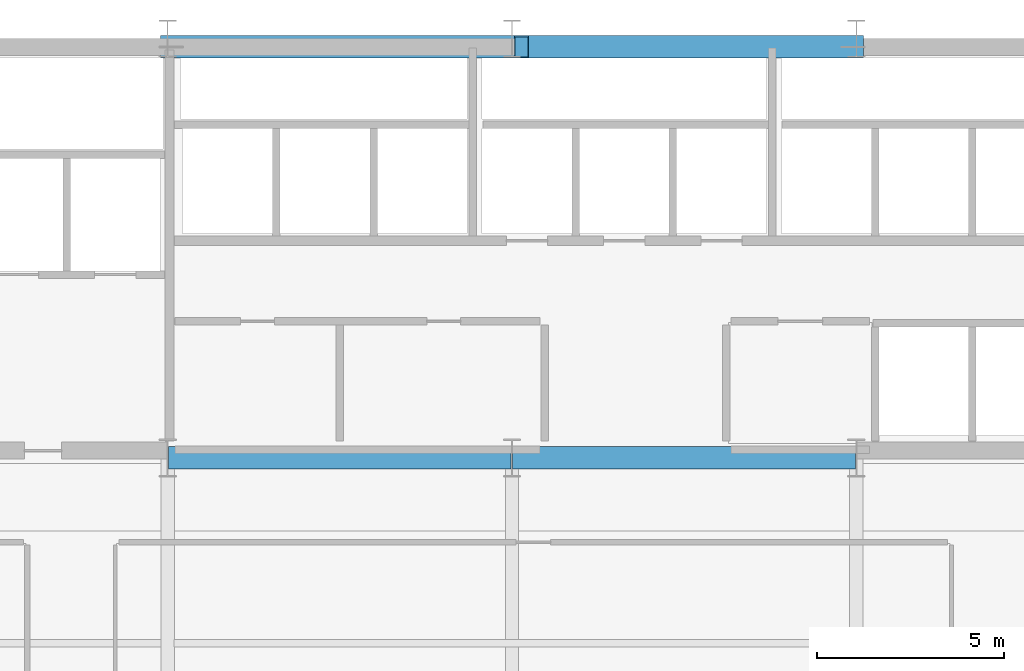
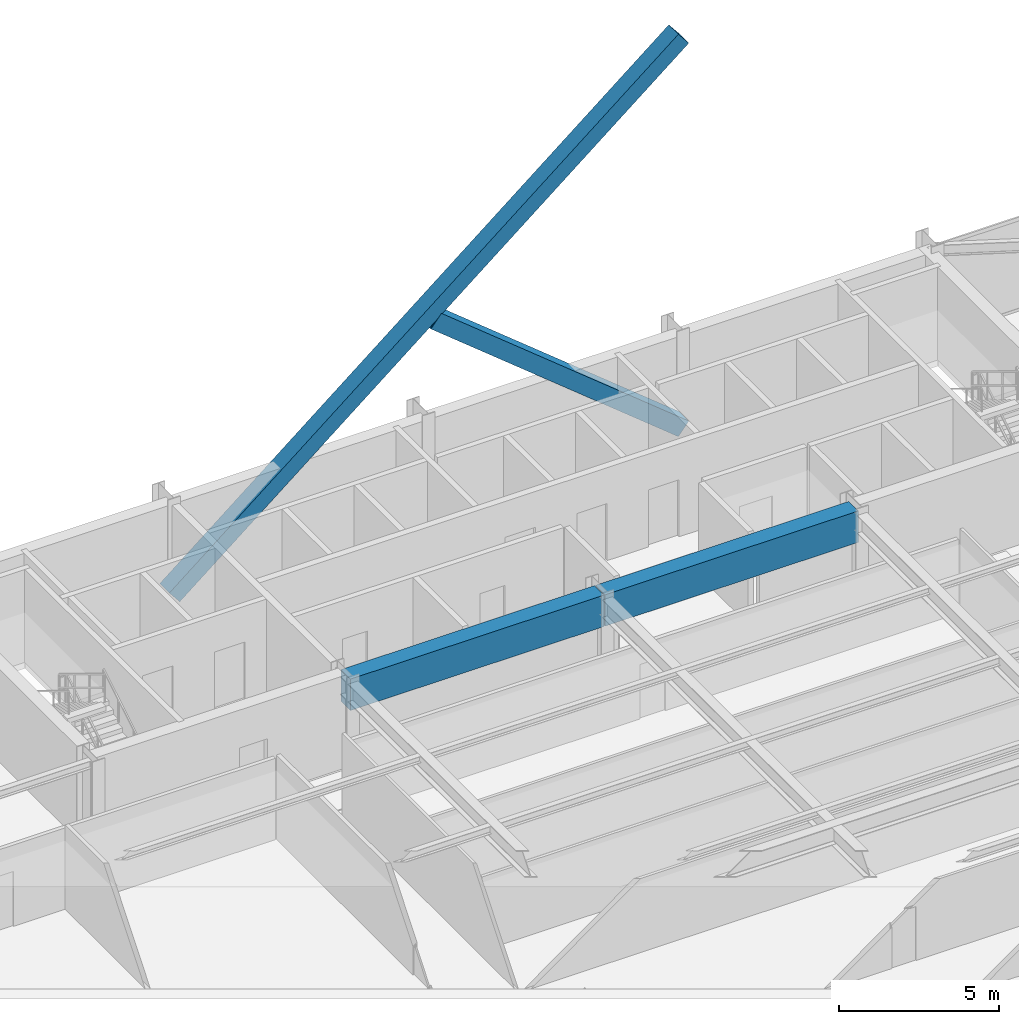
# One storey, part 24 of 37: 2 beams, 2 members.
"""IFC4 building model written with IfcOpenShell, lengths in metres."""

from ifc_helpers import new_model, si_unit, direction, frame, origin, origin_2d, place, context, subcontext, project, spatial, rectangle, hollow_rectangle, extrude, source, transform, mapped, material, material_profile, profile_set, type_object, type_shapes, element, save


model = new_model("IFC4")

# Units and contexts
model_context = context("Model", 3, precision=1e-05, world=origin(), true_north=direction((0.0, 1.0)))
body_context = subcontext(model_context, "Body", "Model", "MODEL_VIEW")
ifc_project = project(units=[si_unit("LENGTHUNIT", "METRE"), si_unit("AREAUNIT", "SQUARE_METRE"), si_unit("VOLUMEUNIT", "CUBIC_METRE"), si_unit("PLANEANGLEUNIT", "RADIAN"), si_unit("MASSUNIT", "GRAM", prefix="KILO")], contexts=[model_context])

# Site, building, storey
site_placement = place(None, origin())
site = spatial("IfcSite", under=ifc_project, at=site_placement, CompositionType="ELEMENT")
building_placement = place(site_placement, origin())
building = spatial("IfcBuilding", under=site, at=building_placement, Name="Varnel Quay Broadcast Tower", CompositionType="ELEMENT")
storey_placement = place(building_placement, frame((0.0, 0.0, 103.0)))
storey = spatial("IfcBuildingStorey", under=building, at=storey_placement, Name="L24", CompositionType="ELEMENT", Elevation=103.0)

# Beams
ifc_material_1 = material(Name="Concrete CSA A23.3 C60/75", Category="concrete")
ifc_material_profile_1 = material_profile(ifc_material_1, rectangle(XDim=0.60009765625, YDim=1.199951171875, at=origin_2d()), Name="RC600X1200")
ifc_profile_set_1 = profile_set([ifc_material_profile_1], Name="Concrete CSA A23.3 C60/75")
beam_type = type_object("IfcBeamType", Name="Beam_RC600X1200", PredefinedType="BEAM", material=ifc_profile_set_1)
shared_shape_1 = source(origin(), body_context, "Body", "SweptSolid", [
    extrude(rectangle(XDim=0.60009765625, YDim=1.199951171875, at=origin_2d()), origin(), (0.0, 0.0, 1.0), 9.159912109375),
])
type_shapes(beam_type, [shared_shape_1])
for number, where, z_axis, x_axis, name in (
    (1, (24.820068359375, 35.60009765625, 2.949951171875), (1.0, 0.0, 0.0), (0.0, 1.0, 0.0), "L24 Core Coupling Beam W"),
    (2, (34.02001953125, 35.60009765625, 2.949951171875), (1.0, 0.0, 0.0), (0.0, 1.0, 0.0), "L24 Core Coupling Beam E"),
):
    element("IfcBeam", number, at=place(storey_placement, frame(where, z_axis=z_axis, x_axis=x_axis)), inside=storey, type_object=beam_type, Name=name, PredefinedType="BEAM", context=body_context, shape_type="MappedRepresentation", body=[
        mapped(shared_shape_1, transform((0.0, 0.0, 0.0), x_axis=(1.0, 0.0, 0.0), y_axis=(0.0, 1.0, 0.0), z_axis=(0.0, 0.0, 1.0), scale=1.0)),
    ])

# Members
ifc_material_2 = material(Name="Structural Steel CSA G40.21 350WT", Category="steel")
ifc_material_profile_2 = material_profile(ifc_material_2, hollow_rectangle(XDim=0.60009765625, YDim=0.60009765625, WallThickness=0.028076171875, at=origin_2d()), Name="BOX600X600X28")
ifc_profile_set_2 = profile_set([ifc_material_profile_2], Name="Structural Steel CSA G40.21 350WT")
member_type = type_object("IfcMemberType", Name="Brace_BOX600X600X28", PredefinedType="BRACE", material=ifc_profile_set_2)
shared_shape_2 = source(origin(), body_context, "Body", "SweptSolid", [
    extrude(hollow_rectangle(XDim=0.60009765625, YDim=0.60009765625, WallThickness=0.028076171875, at=origin_2d()), origin(), (0.0, 0.0, 1.0), 23.6826171875),
])
member_1_placement = place(storey_placement, frame((24.800048828125, 46.580078125, 0.02001953125), z_axis=(0.77694013059, 0.0, 0.629574486045), x_axis=(0.0, 1.0, 0.0)))
element("IfcMember", 3, at=member_1_placement, inside=storey, type_object=member_type, Name="Zone 2 Mega-Brace N-CT2 Continuous Diag A", PredefinedType="BRACE", context=body_context, shape_type="MappedRepresentation", body=[
    mapped(shared_shape_2, transform((0.0, 0.0, 0.0), x_axis=(1.0, 0.0, 0.0), y_axis=(0.0, 1.0, 0.0), z_axis=(0.0, 0.0, 1.0), scale=1.0)),
])
shared_shape_3 = source(origin(), body_context, "Body", "SweptSolid", [
    extrude(hollow_rectangle(XDim=0.60009765625, YDim=0.60009765625, WallThickness=0.028076171875, at=origin_2d()), origin(), (0.0, 0.0, 1.0), 11.509521484375),
])
type_shapes(member_type, [shared_shape_2, shared_shape_3])
member_2_placement = place(storey_placement, frame((43.199951171875, 46.580078125, 0.02001953125), z_axis=(-0.776938015537, 0.0, 0.629577096163), x_axis=(0.0, -1.0, 0.0)))
element("IfcMember", 4, at=member_2_placement, inside=storey, type_object=member_type, Name="Zone 2 Mega-Brace N-CT2 Split Diag B1", PredefinedType="BRACE", context=body_context, shape_type="MappedRepresentation", body=[
    mapped(shared_shape_3, transform((0.0, 0.0, 0.0), x_axis=(1.0, 0.0, 0.0), y_axis=(0.0, 1.0, 0.0), z_axis=(0.0, 0.0, 1.0), scale=1.0)),
])

save(model, "model.ifc")
